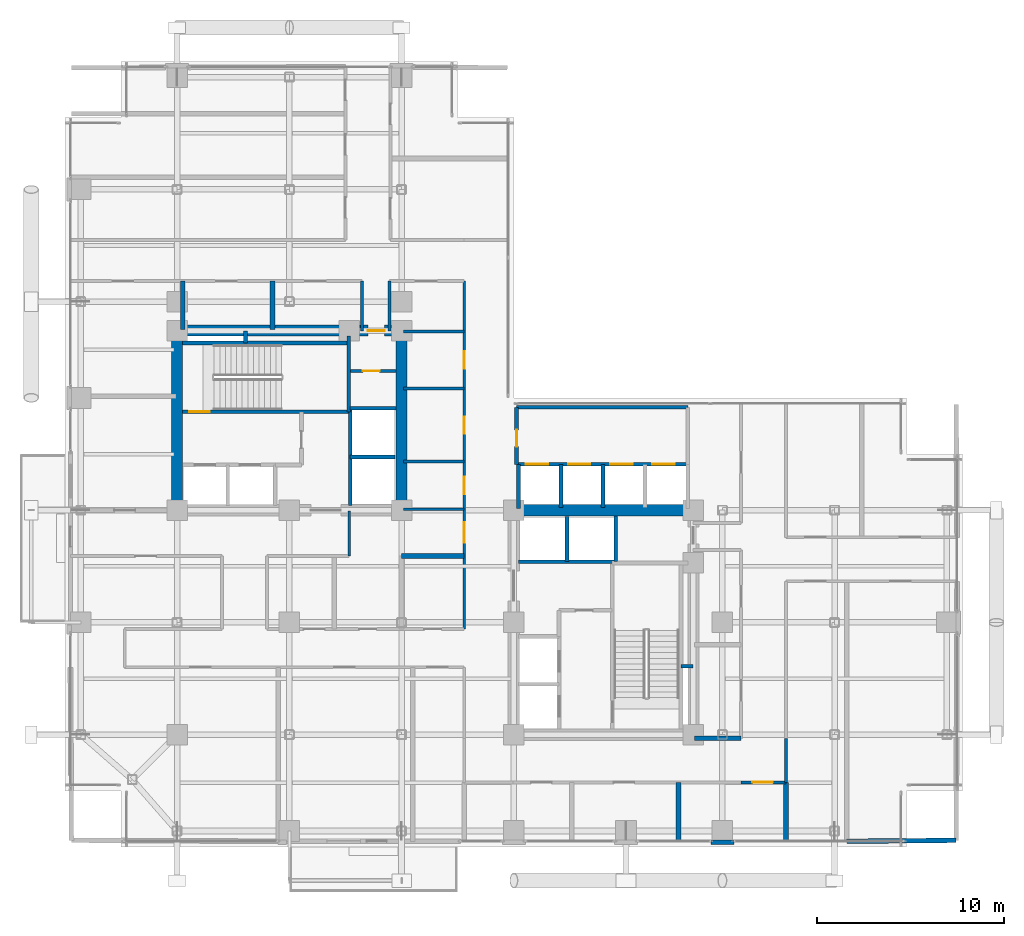
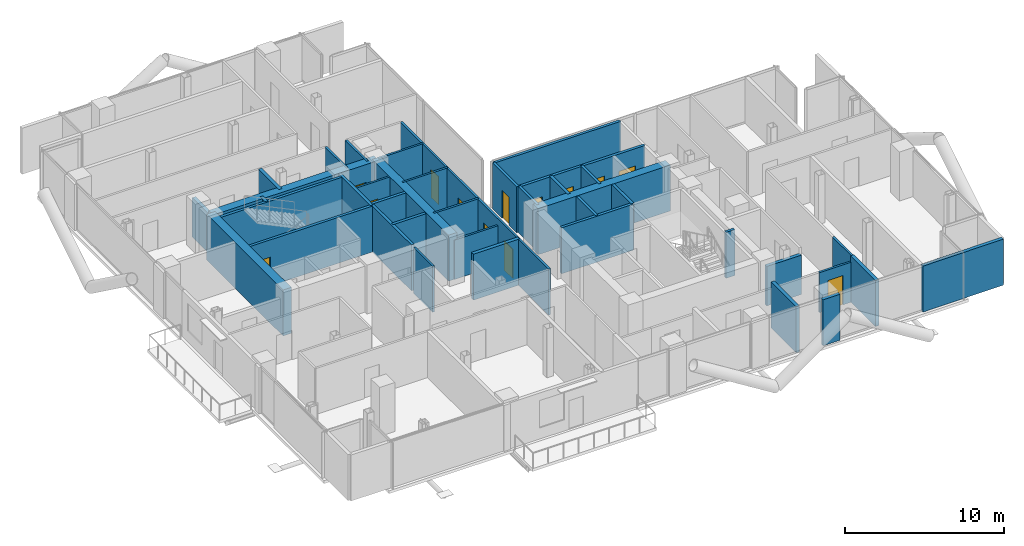
# One storey, part 20 of 24: 40 walls, 13 doors, 13 openings.
"""IFC4 building model written with IfcOpenShell, lengths in metres."""

from ifc_helpers import new_model, si_unit, direction, frame, frame_2d, origin, place, context, subcontext, project, spatial, rectangle, extrude, material, layer, layer_set, type_object, element, fill, save


model = new_model("IFC4")

# Units and contexts
model_context = context("Model", 3, precision=1e-05, world=origin(), true_north=direction((0.0, 1.0)))
body_context = subcontext(model_context, "Body", "Model", "MODEL_VIEW")
ifc_project = project(units=[si_unit("LENGTHUNIT", "METRE"), si_unit("AREAUNIT", "SQUARE_METRE"), si_unit("VOLUMEUNIT", "CUBIC_METRE"), si_unit("PLANEANGLEUNIT", "RADIAN"), si_unit("MASSUNIT", "GRAM", prefix="KILO"), si_unit("THERMODYNAMICTEMPERATUREUNIT", "KELVIN"), si_unit("POWERUNIT", "WATT")], contexts=[model_context])

# Site, building, storey
site_placement = place(None, origin())
site = spatial("IfcSite", under=ifc_project, at=site_placement, CompositionType="ELEMENT")
building_placement = place(site_placement, origin())
building = spatial("IfcBuilding", under=site, at=building_placement, Name="Svarakhadi Broadcast Tower", CompositionType="ELEMENT")
storey_placement = place(building_placement, frame((0.0, 0.0, 126.89990234375)))
storey = spatial("IfcBuildingStorey", under=building, at=storey_placement, Name="L30", CompositionType="ELEMENT", Elevation=126.89990234375)

# Walls
ifc_material_1 = material(Name="Double-Stud Acoustic Studio Partition STC-62", Category="gypsum")
ifc_layer_1 = layer(ifc_material_1, 0.25)
ifc_layer_set_1 = layer_set([ifc_layer_1], Name="Double-Stud Acoustic Studio Partition STC-62")
wall_type_1 = type_object("IfcWallType", Name="Wall_Acoust_250", PredefinedType="PARTITIONING", material=ifc_layer_set_1)
wall_1_placement = place(storey_placement, frame((18.0, 15.550048828125, 0.0), z_axis=(0.0, 0.0, 1.0), x_axis=(1.0, 0.0, 0.0)))
element("IfcWall", 1, at=wall_1_placement, inside=storey, type_object=wall_type_1, Name="L30 Accessible Floor Washroom WC Wall", PredefinedType="PARTITIONING", context=body_context, shape_type="SweptSolid", body=[
    extrude(rectangle(XDim=3.35009765625, YDim=0.25, at=frame_2d((1.675048828125, 0.0))), origin(), (0.0, 0.0, 1.0), 3.525146484375),
])
for number, where, z_axis, x_axis, name in (
    (2, (32.800048828125, 0.300048828125, 0.0), (0.0, 0.0, 1.0), (0.0, 1.0, 0.0), "L30 Client Preview Briefing Room Wall"),
    (3, (38.550048828125, 0.300048828125, 0.0), (0.0, 0.0, 1.0), (0.0, 1.0, 0.0), "L30 Artisanal Espresso Bar Wall"),
):
    element("IfcWall", number, at=place(storey_placement, frame(where, z_axis=z_axis, x_axis=x_axis)), inside=storey, type_object=wall_type_1, Name=name, PredefinedType="PARTITIONING", context=body_context, shape_type="SweptSolid", body=[
        extrude(rectangle(XDim=3.14990234375, YDim=0.25, at=frame_2d((1.574951171875, 0.0))), origin(), (0.0, 0.0, 1.0), 3.525146484375),
    ])
wall_2_placement = place(storey_placement, frame((6.300048828125, 27.64990234375, 0.0), z_axis=(0.0, 0.0, 1.0), x_axis=(0.0, 1.0, 0.0)))
element("IfcWall", 4, at=wall_2_placement, inside=storey, type_object=wall_type_1, Name="L30 Acoustic Dubbing Booth Wall", PredefinedType="PARTITIONING", context=body_context, shape_type="SweptSolid", body=[
    extrude(rectangle(XDim=2.60009765625, YDim=0.25, at=frame_2d((1.300048828125, 0.0))), origin(), (0.0, 0.0, 1.0), 3.01708984375),
])
wall_3_placement = place(storey_placement, frame((11.10009765625, 27.64990234375, 0.0), z_axis=(0.0, 0.0, 1.0), x_axis=(0.0, 1.0, 0.0)))
element("IfcWall", 5, at=wall_3_placement, inside=storey, type_object=wall_type_1, Name="L30 Acoustic Dubbing Booth Wall", PredefinedType="PARTITIONING", context=body_context, shape_type="SweptSolid", body=[
    extrude(rectangle(XDim=2.60009765625, YDim=0.25, at=frame_2d((1.300048828125, 0.0))), origin(), (0.0, 0.0, 1.0), 3.525146484375),
])
wall_4_placement = place(storey_placement, frame((33.64990234375, 5.800048828125, 0.0), z_axis=(0.0, 0.0, 1.0), x_axis=(1.0, 0.0, 0.0)))
element("IfcWall", 6, at=wall_4_placement, inside=storey, type_object=wall_type_1, Name="L30 Media Playout Monitoring Office Wall", PredefinedType="PARTITIONING", context=body_context, shape_type="SweptSolid", body=[
    extrude(rectangle(XDim=2.5, YDim=0.25, at=frame_2d((1.25, 0.0))), origin(), (0.0, 0.0, 1.0), 3.01708984375),
])
wall_5_placement = place(storey_placement, frame((41.800048828125, 0.300048828125, 0.0), z_axis=(0.0, 0.0, 1.0), x_axis=(0.999963403125, 0.00855525636, 0.0)))
element("IfcWall", 7, at=wall_5_placement, inside=storey, type_object=wall_type_1, Name="L30 Publicity Lounge Wall", PredefinedType="PARTITIONING", context=body_context, shape_type="SweptSolid", body=[
    extrude(rectangle(XDim=5.85009765625, YDim=0.25, at=frame_2d((2.925048828125, 0.0))), origin(), (0.0, 0.0, 1.0), 3.525146484375),
])
ifc_material_2 = material(Name="Concrete C40/50 (IS 456 M50)", Category="concrete")
ifc_layer_2 = layer(ifc_material_2, 0.239990234375)
ifc_layer_set_2 = layer_set([ifc_layer_2], Name="Concrete C40/50 (IS 456 M50)")
wall_type_2 = type_object("IfcWallType", Name="Wall_Ext_240", PredefinedType="SOLIDWALL", material=ifc_layer_set_2)
wall_6_placement = place(storey_placement, frame((35.764892578125, 0.239990234375, 0.0), z_axis=(0.0, 0.0, 1.0), x_axis=(-1.0, 0.0, 0.0)))
element("IfcWall", 8, at=wall_6_placement, inside=storey, type_object=wall_type_2, Name="L30 Perimeter Bronze Spandrel Closure Wall 07", PredefinedType="SOLIDWALL", context=body_context, shape_type="SweptSolid", body=[
    extrude(rectangle(XDim=1.22998046875, YDim=0.239990234375, at=frame_2d((0.614990234375, 0.0))), origin(), (0.0, 0.0, 1.0), 3.525146484375),
])
ifc_layer_3 = layer(ifc_material_2, 0.199951171875)
ifc_layer_set_3 = layer_set([ifc_layer_3], Name="Concrete C40/50 (IS 456 M50)")
wall_type_3 = type_object("IfcWallType", Name="Wall_Fire_200", PredefinedType="SOLIDWALL", material=ifc_layer_set_3)
for number, where, z_axis, x_axis, name in (
    (9, (9.659912109375, 26.93994140625, 0.0), (0.0, 0.0, 1.0), (0.0, 1.0, 0.0), "L30 Wet Riser Shaft East Wall"),
    (10, (32.93994140625, 9.659912109375, 0.0), (0.0, 0.0, 1.0), (1.0, 0.0, 0.0), "L30 HV Busduct Riser Shaft North Wall"),
):
    element("IfcWall", number, at=place(storey_placement, frame(where, z_axis=z_axis, x_axis=x_axis)), inside=storey, type_object=wall_type_3, Name=name, PredefinedType="SOLIDWALL", context=body_context, shape_type="SweptSolid", body=[
        extrude(rectangle(XDim=0.64013671875, YDim=0.199951171875, at=frame_2d((0.320068359375, 0.0))), origin(), (0.0, 0.0, 1.0), 3.525146484375),
    ])

# Wall, opening, door
ifc_material_3 = material(Name="Autoclaved Aerated Concrete Blockwork 150 mm", Category="masonry")
ifc_layer_4 = layer(ifc_material_3, 0.14990234375)
ifc_layer_set_4 = layer_set([ifc_layer_4], Name="Autoclaved Aerated Concrete Blockwork 150 mm")
wall_type_4 = type_object("IfcWallType", Name="Wall_Part_150", PredefinedType="PARTITIONING", material=ifc_layer_set_4)
wall_7_placement = place(storey_placement, frame((15.280029296875, 25.43994140625, 0.0), z_axis=(0.0, 0.0, 1.0), x_axis=(1.0, 0.0, 0.0)))
wall_7 = element("IfcWall", 11, at=wall_7_placement, inside=storey, type_object=wall_type_4, Name="L30 West Core Service Split Wall", PredefinedType="PARTITIONING", context=body_context, shape_type="SweptSolid", body=[
    extrude(rectangle(XDim=2.419921875, YDim=0.14990234375, at=frame_2d((1.2099609375, 0.0))), origin(), (0.0, 0.0, 1.0), 3.525146484375),
])
opening_1_placement = place(wall_7_placement, frame((0.64990234375, 0.0, 0.0)))
opening_1 = element("IfcOpeningElement", 12, at=opening_1_placement, cuts=wall_7, Name="Opening D-04", PredefinedType="OPENING", context=body_context, shape_type="SweptSolid", body=[
    extrude(rectangle(XDim=0.89990234375, YDim=2.14990234375, at=frame_2d((0.449951171875, 1.074951171875))), frame((0.0, 0.0849609375, 0.0), z_axis=(0.0, -1.0, 0.0), x_axis=(1.0, 0.0, 0.0)), (0.0, 0.0, 1.0), 0.169921875),
])
ifc_material_4 = material(Name="Galvanised Powder-Coated Fire-Rated Steel Leaf", Category="steel")
door_type_1 = type_object("IfcDoorType", Name="Door_Fire_D04", OperationType="SINGLE_SWING_RIGHT", PredefinedType="DOOR", material=ifc_material_4)
door_1_placement = place(opening_1_placement, origin())
door_1 = element("IfcDoor", 13, at=door_1_placement, inside=storey, type_object=door_type_1, Name="L30 West Core Inner Store Door", OperationType="SINGLE_SWING_RIGHT", OverallHeight=2.14990234375, OverallWidth=0.89990234375, PredefinedType="DOOR", context=body_context, shape_type="SweptSolid", body=[
    extrude(rectangle(XDim=0.89990234375, YDim=2.14990234375, at=frame_2d((0.449951171875, 1.074951171875))), frame((0.0, 0.02490234375, 0.0), z_axis=(0.0, -1.0, 0.0), x_axis=(1.0, 0.0, 0.0)), (0.0, 0.0, 1.0), 0.050048828125),
])
fill(opening_1, door_1)

# Wall
wall_8_placement = place(storey_placement, frame((38.550048828125, 5.800048828125, 0.0), z_axis=(0.0, 0.0, 1.0), x_axis=(0.0, -1.0, 0.0)))
element("IfcWall", 14, at=wall_8_placement, inside=storey, type_object=wall_type_4, Name="L30 Zone 2/3 Corridor Wall", PredefinedType="PARTITIONING", context=body_context, shape_type="SweptSolid", body=[
    extrude(rectangle(XDim=2.35009765625, YDim=0.14990234375, at=frame_2d((1.175048828125, 0.0))), origin(), (0.0, 0.0, 1.0), 3.525146484375),
])

# Wall, opening, door
wall_9_placement = place(storey_placement, frame((38.550048828125, 3.449951171875, 0.0), z_axis=(0.0, 0.0, 1.0), x_axis=(-1.0, 0.0, 0.0)))
wall_9 = element("IfcWall", 15, at=wall_9_placement, inside=storey, type_object=wall_type_4, Name="L30 Zone 2/3 Corridor Wall", PredefinedType="PARTITIONING", context=body_context, shape_type="SweptSolid", body=[
    extrude(rectangle(XDim=2.400146484375, YDim=0.14990234375, at=frame_2d((1.2001953125, 0.0))), origin(), (0.0, 0.0, 1.0), 3.067138671875),
])
opening_2_placement = place(wall_9_placement, frame((0.699951171875, 0.0, 0.0)))
opening_2 = element("IfcOpeningElement", 16, at=opening_2_placement, cuts=wall_9, Name="Opening D-10", PredefinedType="OPENING", context=body_context, shape_type="SweptSolid", body=[
    extrude(rectangle(XDim=1.10009765625, YDim=2.25, at=frame_2d((0.550048828125, 1.125))), frame((0.0, 0.0849609375, 0.0), z_axis=(0.0, -1.0, 0.0), x_axis=(1.0, 0.0, 0.0)), (0.0, 0.0, 1.0), 0.169921875),
])
ifc_material_5 = material(Name="Solid-Core Teak Veneer Acoustic Timber Leaf", Category="wood")
door_type_2 = type_object("IfcDoorType", Name="Door_Acoust_D10", OperationType="SINGLE_SWING_LEFT", PredefinedType="DOOR", material=ifc_material_5)
door_2_placement = place(opening_2_placement, origin())
door_2 = element("IfcDoor", 17, at=door_2_placement, inside=storey, type_object=door_type_2, Name="L30 Artisanal Espresso Bar Door", OperationType="SINGLE_SWING_LEFT", OverallHeight=2.25, OverallWidth=1.10009765625, PredefinedType="DOOR", context=body_context, shape_type="SweptSolid", body=[
    extrude(rectangle(XDim=1.10009765625, YDim=2.25, at=frame_2d((0.550048828125, 1.125))), frame((0.0, 0.02490234375, 0.0), z_axis=(0.0, -1.0, 0.0), x_axis=(1.0, 0.0, 0.0)), (0.0, 0.0, 1.0), 0.050048828125),
])
fill(opening_2, door_2)

# Wall
wall_10_placement = place(storey_placement, frame((15.199951171875, 17.949951171875, 0.0), z_axis=(0.0, 0.0, 1.0), x_axis=(0.0, -1.0, 0.0)))
element("IfcWall", 18, at=wall_10_placement, inside=storey, type_object=wall_type_4, Name="L30 Zone 2/3 Corridor Wall", PredefinedType="PARTITIONING", context=body_context, shape_type="SweptSolid", body=[
    extrude(rectangle(XDim=2.39990234375, YDim=0.14990234375, at=frame_2d((1.199951171875, 0.0))), origin(), (0.0, 0.0, 1.0), 3.525146484375),
])

# Wall, openings, doors
wall_11_placement = place(storey_placement, frame((21.35009765625, 11.64990234375, 0.0), z_axis=(0.0, 0.0, 1.0), x_axis=(0.0, 1.0, 0.0)))
wall_11 = element("IfcWall", 19, at=wall_11_placement, inside=storey, type_object=wall_type_4, Name="L30 Zone 2/3 Corridor Wall", PredefinedType="PARTITIONING", context=body_context, shape_type="SweptSolid", body=[
    extrude(rectangle(XDim=18.60009765625, YDim=0.14990234375, at=frame_2d((9.300048828125, 0.0))), origin(), (0.0, 0.0, 1.0), 3.525146484375),
])
opening_3_placement = place(wall_11_placement, frame((7.199951171875, 0.0, 0.0)))
opening_3 = element("IfcOpeningElement", 20, at=opening_3_placement, cuts=wall_11, Name="Opening D-06", PredefinedType="OPENING", context=body_context, shape_type="SweptSolid", body=[
    extrude(rectangle(XDim=0.949951171875, YDim=2.14990234375, at=frame_2d((0.47509765625, 1.074951171875))), frame((0.0, 0.0849609375, 0.0), z_axis=(0.0, -1.0, 0.0), x_axis=(1.0, 0.0, 0.0)), (0.0, 0.0, 1.0), 0.169921875),
])
opening_4_placement = place(wall_11_placement, frame((10.449951171875, 0.0, 0.0)))
opening_4 = element("IfcOpeningElement", 21, at=opening_4_placement, cuts=wall_11, Name="Opening D-13", PredefinedType="OPENING", context=body_context, shape_type="SweptSolid", body=[
    extrude(rectangle(XDim=0.89990234375, YDim=2.10009765625, at=frame_2d((0.449951171875, 1.050048828125))), frame((0.0, 0.0849609375, 0.0), z_axis=(0.0, -1.0, 0.0), x_axis=(1.0, 0.0, 0.0)), (0.0, 0.0, 1.0), 0.169921875),
])
opening_5_placement = place(wall_11_placement, frame((13.89990234375, 0.0, 0.0)))
opening_5 = element("IfcOpeningElement", 22, at=opening_5_placement, cuts=wall_11, Name="Opening D-06", PredefinedType="OPENING", context=body_context, shape_type="SweptSolid", body=[
    extrude(rectangle(XDim=0.949951171875, YDim=2.14990234375, at=frame_2d((0.47509765625, 1.074951171875))), frame((0.0, 0.0849609375, 0.0), z_axis=(0.0, -1.0, 0.0), x_axis=(1.0, 0.0, 0.0)), (0.0, 0.0, 1.0), 0.169921875),
])
opening_6_placement = place(wall_11_placement, frame((4.60009765625, 0.0, 0.0)))
opening_6 = element("IfcOpeningElement", 23, at=opening_6_placement, cuts=wall_11, Name="Opening D-11", PredefinedType="OPENING", context=body_context, shape_type="SweptSolid", body=[
    extrude(rectangle(XDim=1.10009765625, YDim=2.25, at=frame_2d((0.550048828125, 1.125))), frame((0.0, 0.0849609375, 0.0), z_axis=(0.0, -1.0, 0.0), x_axis=(1.0, 0.0, 0.0)), (0.0, 0.0, 1.0), 0.169921875),
])
door_type_3 = type_object("IfcDoorType", Name="Door_Acoust_D11", OperationType="SINGLE_SWING_RIGHT", PredefinedType="DOOR", material=ifc_material_5)
door_3_placement = place(opening_6_placement, origin())
door_3 = element("IfcDoor", 24, at=door_3_placement, inside=storey, type_object=door_type_3, Name="L30 Executive Review Pod Door", OperationType="SINGLE_SWING_RIGHT", OverallHeight=2.25, OverallWidth=1.10009765625, PredefinedType="DOOR", context=body_context, shape_type="SweptSolid", body=[
    extrude(rectangle(XDim=1.10009765625, YDim=2.25, at=frame_2d((0.550048828125, 1.125))), frame((0.0, 0.02490234375, 0.0), z_axis=(0.0, -1.0, 0.0), x_axis=(1.0, 0.0, 0.0)), (0.0, 0.0, 1.0), 0.050048828125),
])
fill(opening_6, door_3)
door_type_4 = type_object("IfcDoorType", Name="Door_Closet_D13", OperationType="SINGLE_SWING_RIGHT", PredefinedType="DOOR", material=ifc_material_5)
door_4_placement = place(opening_4_placement, origin())
door_4 = element("IfcDoor", 25, at=door_4_placement, inside=storey, type_object=door_type_4, Name="L30 Accessible Guest Washroom WC Door", OperationType="SINGLE_SWING_RIGHT", OverallHeight=2.10009765625, OverallWidth=0.89990234375, PredefinedType="DOOR", context=body_context, shape_type="SweptSolid", body=[
    extrude(rectangle(XDim=0.89990234375, YDim=2.10009765625, at=frame_2d((0.449951171875, 1.050048828125))), frame((0.0, 0.02490234375, 0.0), z_axis=(0.0, -1.0, 0.0), x_axis=(1.0, 0.0, 0.0)), (0.0, 0.0, 1.0), 0.050048828125),
])
fill(opening_4, door_4)
door_type_5 = type_object("IfcDoorType", Name="Door_Office_D06", OperationType="SINGLE_SWING_LEFT", PredefinedType="DOOR", material=ifc_material_5)
door_5_placement = place(opening_3_placement, origin())
door_5 = element("IfcDoor", 26, at=door_5_placement, inside=storey, type_object=door_type_5, Name="L30 Broadcast Editorial Review Office Door", OperationType="SINGLE_SWING_LEFT", OverallHeight=2.14990234375, OverallWidth=0.949951171875, PredefinedType="DOOR", context=body_context, shape_type="SweptSolid", body=[
    extrude(rectangle(XDim=0.949951171875, YDim=2.14990234375, at=frame_2d((0.47509765625, 1.074951171875))), frame((0.0, 0.02490234375, 0.0), z_axis=(0.0, -1.0, 0.0), x_axis=(1.0, 0.0, 0.0)), (0.0, 0.0, 1.0), 0.050048828125),
])
fill(opening_3, door_5)
door_6_placement = place(opening_5_placement, origin())
door_6 = element("IfcDoor", 27, at=door_6_placement, inside=storey, type_object=door_type_5, Name="L30 Quiet Focus Booth Door", OperationType="SINGLE_SWING_LEFT", OverallHeight=2.14990234375, OverallWidth=0.949951171875, PredefinedType="DOOR", context=body_context, shape_type="SweptSolid", body=[
    extrude(rectangle(XDim=0.949951171875, YDim=2.14990234375, at=frame_2d((0.47509765625, 1.074951171875))), frame((0.0, 0.02490234375, 0.0), z_axis=(0.0, -1.0, 0.0), x_axis=(1.0, 0.0, 0.0)), (0.0, 0.0, 1.0), 0.050048828125),
])
fill(opening_5, door_6)

# Walls
for number, where, z_axis, x_axis, name in (
    (28, (17.35009765625, 30.25, 0.0), (0.0, 0.0, 1.0), (0.0, -1.0, 0.0), "L30 Zone 2/3 Corridor Wall"),
    (29, (15.8798828125, 27.580078125, 0.0), (0.0, 0.0, 1.0), (0.0, 1.0, 0.0), "L30 Zone 2/3 Corridor Wall"),
):
    element("IfcWall", number, at=place(storey_placement, frame(where, z_axis=z_axis, x_axis=x_axis)), inside=storey, type_object=wall_type_4, Name=name, PredefinedType="PARTITIONING", context=body_context, shape_type="SweptSolid", body=[
        extrude(rectangle(XDim=2.669921875, YDim=0.14990234375, at=frame_2d((1.3349609375, 0.0))), origin(), (0.0, 0.0, 1.0), 3.525146484375),
    ])
wall_12_placement = place(storey_placement, frame((18.10009765625, 18.050048828125, 0.0), z_axis=(0.0, 0.0, 1.0), x_axis=(1.0, 0.0, 0.0)))
element("IfcWall", 30, at=wall_12_placement, inside=storey, type_object=wall_type_4, Name="L30 Broadcast Editorial Review Office Wall", PredefinedType="PARTITIONING", context=body_context, shape_type="SweptSolid", body=[
    extrude(rectangle(XDim=3.25, YDim=0.14990234375, at=frame_2d((1.625, 0.0))), origin(), (0.0, 0.0, 1.0), 3.01708984375),
])
for number, where, z_axis, x_axis, name in (
    (31, (18.10009765625, 20.60009765625, 0.0), (0.0, 0.0, 1.0), (1.0, 0.0, 0.0), "L30 Broadcast Editorial Review Office Wall"),
    (32, (18.10009765625, 24.5, 0.0), (0.0, 0.0, 1.0), (1.0, 0.0, 0.0), "L30 Accessible Guest Washroom WC Wall"),
    (33, (18.10009765625, 27.550048828125, 0.0), (0.0, 0.0, 1.0), (1.0, 0.0, 0.0), "L30 Quiet Focus Booth Wall"),
):
    element("IfcWall", number, at=place(storey_placement, frame(where, z_axis=z_axis, x_axis=x_axis)), inside=storey, type_object=wall_type_4, Name=name, PredefinedType="PARTITIONING", context=body_context, shape_type="SweptSolid", body=[
        extrude(rectangle(XDim=3.25, YDim=0.14990234375, at=frame_2d((1.625, 0.0))), origin(), (0.0, 0.0, 1.0), 3.525146484375),
    ])

# Wall, opening, door
ifc_material_6 = material(Name="Concrete C50/60 (IS 456 M60)", Category="concrete")
ifc_layer_5 = layer(ifc_material_6, 0.199951171875)
ifc_layer_set_5 = layer_set([ifc_layer_5], Name="Concrete C50/60 (IS 456 M60)")
wall_type_5 = type_object("IfcWallType", Name="Wall_Shear_200", PredefinedType="SHEAR", material=ifc_layer_set_5)
wall_13_placement = place(storey_placement, frame((6.300048828125, 23.260009765625, 0.0), z_axis=(0.0, 0.0, 1.0), x_axis=(1.0, 0.0, 0.0)))
wall_13 = element("IfcWall", 34, at=wall_13_placement, inside=storey, type_object=wall_type_5, Name="L30 Stair ST-01 South RC Shaft Wall", PredefinedType="SHEAR", context=body_context, shape_type="SweptSolid", body=[
    extrude(rectangle(XDim=8.8798828125, YDim=0.199951171875, at=frame_2d((4.43994140625, 0.0))), origin(), (0.0, 0.0, 1.0), 3.525146484375),
])
opening_7_placement = place(wall_13_placement, frame((0.35009765625, 0.0, 0.0)))
opening_7 = element("IfcOpeningElement", 35, at=opening_7_placement, cuts=wall_13, Name="Opening D-01", PredefinedType="OPENING", context=body_context, shape_type="SweptSolid", body=[
    extrude(rectangle(XDim=1.10009765625, YDim=2.199951171875, at=frame_2d((0.550048828125, 1.10009765625))), frame((0.0, 0.10986328125, 0.0), z_axis=(0.0, -1.0, 0.0), x_axis=(1.0, 0.0, 0.0)), (0.0, 0.0, 1.0), 0.219970703125),
])
door_type_6 = type_object("IfcDoorType", Name="Door_Stair_D01", OperationType="SINGLE_SWING_LEFT", PredefinedType="DOOR", material=ifc_material_4)
door_7_placement = place(opening_7_placement, origin())
door_7 = element("IfcDoor", 36, at=door_7_placement, inside=storey, type_object=door_type_6, Name="L30 Protected Exit Stair ST-01 Fire Door", OperationType="SINGLE_SWING_LEFT", OverallHeight=2.199951171875, OverallWidth=1.10009765625, PredefinedType="DOOR", context=body_context, shape_type="SweptSolid", body=[
    extrude(rectangle(XDim=1.10009765625, YDim=2.199951171875, at=frame_2d((0.550048828125, 1.10009765625))), frame((0.0, 0.02490234375, 0.0), z_axis=(0.0, -1.0, 0.0), x_axis=(1.0, 0.0, 0.0)), (0.0, 0.0, 1.0), 0.050048828125),
])
fill(opening_7, door_7)

# Walls
wall_14_placement = place(storey_placement, frame((6.300048828125, 26.93994140625, 0.0), z_axis=(0.0, 0.0, 1.0), x_axis=(1.0, 0.0, 0.0)))
element("IfcWall", 37, at=wall_14_placement, inside=storey, type_object=wall_type_5, Name="L30 Stair ST-01 North RC Shaft Wall", PredefinedType="SHEAR", context=body_context, shape_type="SweptSolid", body=[
    extrude(rectangle(XDim=8.8798828125, YDim=0.199951171875, at=frame_2d((4.43994140625, 0.0))), origin(), (0.0, 0.0, 1.0), 3.525146484375),
])
wall_15_placement = place(storey_placement, frame((15.179931640625, 23.260009765625, 0.0), z_axis=(0.0, 0.0, 1.0), x_axis=(0.0, 1.0, 0.0)))
element("IfcWall", 38, at=wall_15_placement, inside=storey, type_object=wall_type_5, Name="L30 Stair ST-01 East RC Shaft Wall", PredefinedType="SHEAR", context=body_context, shape_type="SweptSolid", body=[
    extrude(rectangle(XDim=4.0400390625, YDim=0.199951171875, at=frame_2d((2.02001953125, 0.0))), origin(), (0.0, 0.0, 1.0), 3.525146484375),
])
wall_16_placement = place(storey_placement, frame((15.25, 18.25, 0.0), z_axis=(0.0, 0.0, 1.0), x_axis=(0.0, 1.0, 0.0)))
element("IfcWall", 39, at=wall_16_placement, inside=storey, type_object=wall_type_5, Name="L30 High-Rise Lift LF-13/14 West Shaft Wall", PredefinedType="SHEAR", context=body_context, shape_type="SweptSolid", body=[
    extrude(rectangle(XDim=5.199951171875, YDim=0.199951171875, at=frame_2d((2.60009765625, 0.0))), origin(), (0.0, 0.0, 1.0), 3.525146484375),
])
wall_17_placement = place(storey_placement, frame((15.25, 20.85009765625, 0.0), z_axis=(0.0, 0.0, 1.0), x_axis=(1.0, 0.0, 0.0)))
element("IfcWall", 40, at=wall_17_placement, inside=storey, type_object=wall_type_5, Name="L30 High-Rise Lift LF-13/14 Divider", PredefinedType="SHEAR", context=body_context, shape_type="SweptSolid", body=[
    extrude(rectangle(XDim=2.39990234375, YDim=0.199951171875, at=frame_2d((1.199951171875, 0.0))), origin(), (0.0, 0.0, 1.0), 3.525146484375),
])
wall_18_placement = place(storey_placement, frame((15.25, 23.449951171875, 0.0), z_axis=(0.0, 0.0, 1.0), x_axis=(1.0, 0.0, 0.0)))
element("IfcWall", 41, at=wall_18_placement, inside=storey, type_object=wall_type_5, Name="L30 High-Rise Lift LF-13/14 North Wall", PredefinedType="SHEAR", context=body_context, shape_type="SweptSolid", body=[
    extrude(rectangle(XDim=2.449951171875, YDim=0.199951171875, at=frame_2d((1.22509765625, 0.0))), origin(), (0.0, 0.0, 1.0), 3.525146484375),
])
wall_19_placement = place(storey_placement, frame((24.25, 15.25, 0.0), z_axis=(0.0, 0.0, 1.0), x_axis=(1.0, 0.0, 0.0)))
element("IfcWall", 42, at=wall_19_placement, inside=storey, type_object=wall_type_5, Name="L30 High-Rise Lift LF-15/16 South Shaft Wall", PredefinedType="SHEAR", context=body_context, shape_type="SweptSolid", body=[
    extrude(rectangle(XDim=5.199951171875, YDim=0.199951171875, at=frame_2d((2.60009765625, 0.0))), origin(), (0.0, 0.0, 1.0), 3.525146484375),
])
wall_20_placement = place(storey_placement, frame((26.85009765625, 15.25, 0.0), z_axis=(0.0, 0.0, 1.0), x_axis=(0.0, 1.0, 0.0)))
element("IfcWall", 43, at=wall_20_placement, inside=storey, type_object=wall_type_5, Name="L30 High-Rise Lift LF-15/16 Divider", PredefinedType="SHEAR", context=body_context, shape_type="SweptSolid", body=[
    extrude(rectangle(XDim=2.39990234375, YDim=0.199951171875, at=frame_2d((1.199951171875, 0.0))), origin(), (0.0, 0.0, 1.0), 3.525146484375),
])
wall_21_placement = place(storey_placement, frame((29.449951171875, 15.25, 0.0), z_axis=(0.0, 0.0, 1.0), x_axis=(0.0, 1.0, 0.0)))
element("IfcWall", 44, at=wall_21_placement, inside=storey, type_object=wall_type_5, Name="L30 High-Rise Lift LF-15/16 East Wall", PredefinedType="SHEAR", context=body_context, shape_type="SweptSolid", body=[
    extrude(rectangle(XDim=2.449951171875, YDim=0.199951171875, at=frame_2d((1.22509765625, 0.0))), origin(), (0.0, 0.0, 1.0), 3.525146484375),
])
wall_22_placement = place(storey_placement, frame((24.25, 18.10009765625, 0.0), z_axis=(0.0, 0.0, 1.0), x_axis=(0.0, 1.0, 0.0)))
element("IfcWall", 45, at=wall_22_placement, inside=storey, type_object=wall_type_5, Name="L30 Bank B West Shaft Wall", PredefinedType="SHEAR", context=body_context, shape_type="SweptSolid", body=[
    extrude(rectangle(XDim=2.349853515625, YDim=0.199951171875, at=frame_2d((1.1748046875, 0.0))), origin(), (0.0, 0.0, 1.0), 3.525146484375),
])

# Wall, openings, doors
wall_23_placement = place(storey_placement, frame((24.25, 20.449951171875, 0.0), z_axis=(0.0, 0.0, 1.0), x_axis=(1.0, 0.0, 0.0)))
wall_23 = element("IfcWall", 46, at=wall_23_placement, inside=storey, type_object=wall_type_5, Name="L30 Bank B North Landing Wall", PredefinedType="SHEAR", context=body_context, shape_type="SweptSolid", body=[
    extrude(rectangle(XDim=9.050048828125, YDim=0.199951171875, at=frame_2d((4.52490234375, 0.0))), origin(), (0.0, 0.0, 1.0), 3.525146484375),
])
opening_8_placement = place(wall_23_placement, frame((0.39990234375, 0.0, 0.0)))
opening_8 = element("IfcOpeningElement", 47, at=opening_8_placement, cuts=wall_23, Name="Opening LD-02", PredefinedType="OPENING", context=body_context, shape_type="SweptSolid", body=[
    extrude(rectangle(XDim=1.199951171875, YDim=2.199951171875, at=frame_2d((0.60009765625, 1.10009765625))), frame((0.0, 0.10986328125, 0.0), z_axis=(0.0, -1.0, 0.0), x_axis=(1.0, 0.0, 0.0)), (0.0, 0.0, 1.0), 0.219970703125),
])
opening_9_placement = place(wall_23_placement, frame((2.64990234375, 0.0, 0.0)))
opening_9 = element("IfcOpeningElement", 48, at=opening_9_placement, cuts=wall_23, Name="Opening LD-02", PredefinedType="OPENING", context=body_context, shape_type="SweptSolid", body=[
    extrude(rectangle(XDim=1.199951171875, YDim=2.199951171875, at=frame_2d((0.60009765625, 1.10009765625))), frame((0.0, 0.10986328125, 0.0), z_axis=(0.0, -1.0, 0.0), x_axis=(1.0, 0.0, 0.0)), (0.0, 0.0, 1.0), 0.219970703125),
])
opening_10_placement = place(wall_23_placement, frame((4.89990234375, 0.0, 0.0)))
opening_10 = element("IfcOpeningElement", 49, at=opening_10_placement, cuts=wall_23, Name="Opening LD-02", PredefinedType="OPENING", context=body_context, shape_type="SweptSolid", body=[
    extrude(rectangle(XDim=1.199951171875, YDim=2.199951171875, at=frame_2d((0.60009765625, 1.10009765625))), frame((0.0, 0.10986328125, 0.0), z_axis=(0.0, -1.0, 0.0), x_axis=(1.0, 0.0, 0.0)), (0.0, 0.0, 1.0), 0.219970703125),
])
opening_11_placement = place(wall_23_placement, frame((7.14990234375, 0.0, 0.0)))
opening_11 = element("IfcOpeningElement", 50, at=opening_11_placement, cuts=wall_23, Name="Opening LD-02", PredefinedType="OPENING", context=body_context, shape_type="SweptSolid", body=[
    extrude(rectangle(XDim=1.199951171875, YDim=2.199951171875, at=frame_2d((0.60009765625, 1.10009765625))), frame((0.0, 0.10986328125, 0.0), z_axis=(0.0, -1.0, 0.0), x_axis=(1.0, 0.0, 0.0)), (0.0, 0.0, 1.0), 0.219970703125),
])
door_type_7 = type_object("IfcDoorType", Name="Door_Lift_LD02", OperationType="SLIDING_TO_RIGHT", PredefinedType="DOOR", material=ifc_material_4)
door_8_placement = place(opening_8_placement, origin())
door_8 = element("IfcDoor", 51, at=door_8_placement, inside=storey, type_object=door_type_7, Name="L30 Mid-Rise Lift LF-09 Landing Door", OperationType="SLIDING_TO_RIGHT", OverallHeight=2.199951171875, OverallWidth=1.199951171875, PredefinedType="DOOR", context=body_context, shape_type="SweptSolid", body=[
    extrude(rectangle(XDim=1.199951171875, YDim=2.199951171875, at=frame_2d((0.60009765625, 1.10009765625))), frame((0.0, 0.02490234375, 0.0), z_axis=(0.0, -1.0, 0.0), x_axis=(1.0, 0.0, 0.0)), (0.0, 0.0, 1.0), 0.050048828125),
])
fill(opening_8, door_8)
door_9_placement = place(opening_9_placement, origin())
door_9 = element("IfcDoor", 52, at=door_9_placement, inside=storey, type_object=door_type_7, Name="L30 Mid-Rise Lift LF-10 Landing Door", OperationType="SLIDING_TO_RIGHT", OverallHeight=2.199951171875, OverallWidth=1.199951171875, PredefinedType="DOOR", context=body_context, shape_type="SweptSolid", body=[
    extrude(rectangle(XDim=1.199951171875, YDim=2.199951171875, at=frame_2d((0.60009765625, 1.10009765625))), frame((0.0, 0.02490234375, 0.0), z_axis=(0.0, -1.0, 0.0), x_axis=(1.0, 0.0, 0.0)), (0.0, 0.0, 1.0), 0.050048828125),
])
fill(opening_9, door_9)
door_10_placement = place(opening_10_placement, origin())
door_10 = element("IfcDoor", 53, at=door_10_placement, inside=storey, type_object=door_type_7, Name="L30 Mid-Rise Lift LF-11 Landing Door", OperationType="SLIDING_TO_RIGHT", OverallHeight=2.199951171875, OverallWidth=1.199951171875, PredefinedType="DOOR", context=body_context, shape_type="SweptSolid", body=[
    extrude(rectangle(XDim=1.199951171875, YDim=2.199951171875, at=frame_2d((0.60009765625, 1.10009765625))), frame((0.0, 0.02490234375, 0.0), z_axis=(0.0, -1.0, 0.0), x_axis=(1.0, 0.0, 0.0)), (0.0, 0.0, 1.0), 0.050048828125),
])
fill(opening_10, door_10)
door_11_placement = place(opening_11_placement, origin())
door_11 = element("IfcDoor", 54, at=door_11_placement, inside=storey, type_object=door_type_7, Name="L30 Mid-Rise Lift LF-12 Landing Door", OperationType="SLIDING_TO_RIGHT", OverallHeight=2.199951171875, OverallWidth=1.199951171875, PredefinedType="DOOR", context=body_context, shape_type="SweptSolid", body=[
    extrude(rectangle(XDim=1.199951171875, YDim=2.199951171875, at=frame_2d((0.60009765625, 1.10009765625))), frame((0.0, 0.02490234375, 0.0), z_axis=(0.0, -1.0, 0.0), x_axis=(1.0, 0.0, 0.0)), (0.0, 0.0, 1.0), 0.050048828125),
])
fill(opening_11, door_11)

# Walls
for number, where, z_axis, x_axis, name in (
    (55, (26.52001953125, 18.14990234375, 0.0), (0.0, 0.0, 1.0), (0.0, 1.0, 0.0), "L30 Bank B Divider"),
    (56, (28.77001953125, 18.14990234375, 0.0), (0.0, 0.0, 1.0), (0.0, 1.0, 0.0), "L30 Bank B Divider"),
):
    element("IfcWall", number, at=place(storey_placement, frame(where, z_axis=z_axis, x_axis=x_axis)), inside=storey, type_object=wall_type_5, Name=name, PredefinedType="SHEAR", context=body_context, shape_type="SweptSolid", body=[
        extrude(rectangle(XDim=2.300048828125, YDim=0.199951171875, at=frame_2d((1.14990234375, 0.0))), origin(), (0.0, 0.0, 1.0), 3.525146484375),
    ])
wall_24_placement = place(storey_placement, frame((24.14990234375, 23.5, 0.0), z_axis=(0.0, 0.0, 1.0), x_axis=(1.0, 0.0, 0.0)))
element("IfcWall", 57, at=wall_24_placement, inside=storey, type_object=wall_type_5, Name="L30 Bank B Lift Hall North Wall", PredefinedType="SHEAR", context=body_context, shape_type="SweptSolid", body=[
    extrude(rectangle(XDim=9.150146484375, YDim=0.199951171875, at=frame_2d((4.5751953125, 0.0))), origin(), (0.0, 0.0, 1.0), 3.525146484375),
])

# Wall, opening, door
wall_25_placement = place(storey_placement, frame((24.14990234375, 20.449951171875, 0.0), z_axis=(0.0, 0.0, 1.0), x_axis=(0.0, 1.0, 0.0)))
wall_25 = element("IfcWall", 58, at=wall_25_placement, inside=storey, type_object=wall_type_5, Name="L30 Bank B Lift Hall West Wall", PredefinedType="SHEAR", context=body_context, shape_type="SweptSolid", body=[
    extrude(rectangle(XDim=3.050048828125, YDim=0.199951171875, at=frame_2d((1.52490234375, 0.0))), origin(), (0.0, 0.0, 1.0), 3.525146484375),
])
opening_12_placement = place(wall_25_placement, frame((0.949951171875, 0.0, 0.0)))
opening_12 = element("IfcOpeningElement", 59, at=opening_12_placement, cuts=wall_25, Name="Opening D-03", PredefinedType="OPENING", context=body_context, shape_type="SweptSolid", body=[
    extrude(rectangle(XDim=0.89990234375, YDim=2.14990234375, at=frame_2d((0.449951171875, 1.074951171875))), frame((0.0, 0.10986328125, 0.0), z_axis=(0.0, -1.0, 0.0), x_axis=(1.0, 0.0, 0.0)), (0.0, 0.0, 1.0), 0.219970703125),
])
door_type_8 = type_object("IfcDoorType", Name="Door_Fire_D03", OperationType="SINGLE_SWING_LEFT", PredefinedType="DOOR", material=ifc_material_4)
door_12_placement = place(opening_12_placement, origin())
door_12 = element("IfcDoor", 60, at=door_12_placement, inside=storey, type_object=door_type_8, Name="L30 Mid-Rise Lift Hall West Corridor Door", OperationType="SINGLE_SWING_LEFT", OverallHeight=2.14990234375, OverallWidth=0.89990234375, PredefinedType="DOOR", context=body_context, shape_type="SweptSolid", body=[
    extrude(rectangle(XDim=0.89990234375, YDim=2.14990234375, at=frame_2d((0.449951171875, 1.074951171875))), frame((0.0, 0.02490234375, 0.0), z_axis=(0.0, -1.0, 0.0), x_axis=(1.0, 0.0, 0.0)), (0.0, 0.0, 1.0), 0.050048828125),
])
fill(opening_12, door_12)

ifc_material_7 = material(Name="Concrete C60/75 (IS 456 M70)", Category="concrete")
ifc_layer_6 = layer(ifc_material_7, 0.60009765625)
ifc_layer_set_6 = layer_set([ifc_layer_6], Name="Concrete C60/75 (IS 456 M70)")
wall_type_6 = type_object("IfcWallType", Name="Wall_Shear_600", PredefinedType="SHEAR", material=ifc_layer_set_6)
wall_26_placement = place(storey_placement, frame((6.0, 27.60009765625, 0.0), z_axis=(0.0, 0.0, 1.0), x_axis=(1.0, 0.0, 0.0)))
wall_26 = element("IfcWall", 61, at=wall_26_placement, inside=storey, type_object=wall_type_6, Name="L30 West Core North Shear Wall", PredefinedType="SHEAR", context=body_context, shape_type="SweptSolid", body=[
    extrude(rectangle(XDim=12.0, YDim=0.60009765625, at=frame_2d((6.0, 0.0))), origin(), (0.0, 0.0, 1.0), 3.525146484375),
])
opening_13_placement = place(wall_26_placement, frame((10.199951171875, 0.0, 0.0)))
opening_13 = element("IfcOpeningElement", 62, at=opening_13_placement, cuts=wall_26, Name="Opening D-03", PredefinedType="OPENING", context=body_context, shape_type="SweptSolid", body=[
    extrude(rectangle(XDim=0.89990234375, YDim=2.14990234375, at=frame_2d((0.449951171875, 1.074951171875))), frame((0.0, 0.31005859375, 0.0), z_axis=(0.0, -1.0, 0.0), x_axis=(1.0, 0.0, 0.0)), (0.0, 0.0, 1.0), 0.6201171875),
])
door_13_placement = place(opening_13_placement, origin())
door_13 = element("IfcDoor", 63, at=door_13_placement, inside=storey, type_object=door_type_8, Name="L30 West Core Outer Store Door", OperationType="SINGLE_SWING_LEFT", OverallHeight=2.14990234375, OverallWidth=0.89990234375, PredefinedType="DOOR", context=body_context, shape_type="SweptSolid", body=[
    extrude(rectangle(XDim=0.89990234375, YDim=2.14990234375, at=frame_2d((0.449951171875, 1.074951171875))), frame((0.0, 0.02490234375, 0.0), z_axis=(0.0, -1.0, 0.0), x_axis=(1.0, 0.0, 0.0)), (0.0, 0.0, 1.0), 0.050048828125),
])
fill(opening_13, door_13)

# Walls
for number, where, z_axis, x_axis, name in (
    (64, (6.0, 18.0, 0.0), (0.0, 0.0, 1.0), (0.0, 1.0, 0.0), "L30 West Core West Shear Wall"),
    (65, (18.0, 18.0, 0.0), (0.0, 0.0, 1.0), (0.0, 1.0, 0.0), "L30 West Core East Shear Wall"),
    (66, (24.0, 18.0, 0.0), (0.0, 0.0, 1.0), (1.0, 0.0, 0.0), "L30 East Core North Shear Wall"),
):
    element("IfcWall", number, at=place(storey_placement, frame(where, z_axis=z_axis, x_axis=x_axis)), inside=storey, type_object=wall_type_6, Name=name, PredefinedType="SHEAR", context=body_context, shape_type="SweptSolid", body=[
        extrude(rectangle(XDim=9.60009765625, YDim=0.60009765625, at=frame_2d((4.800048828125, 0.0))), origin(), (0.0, 0.0, 1.0), 3.525146484375),
    ])

save(model, "model.ifc")
